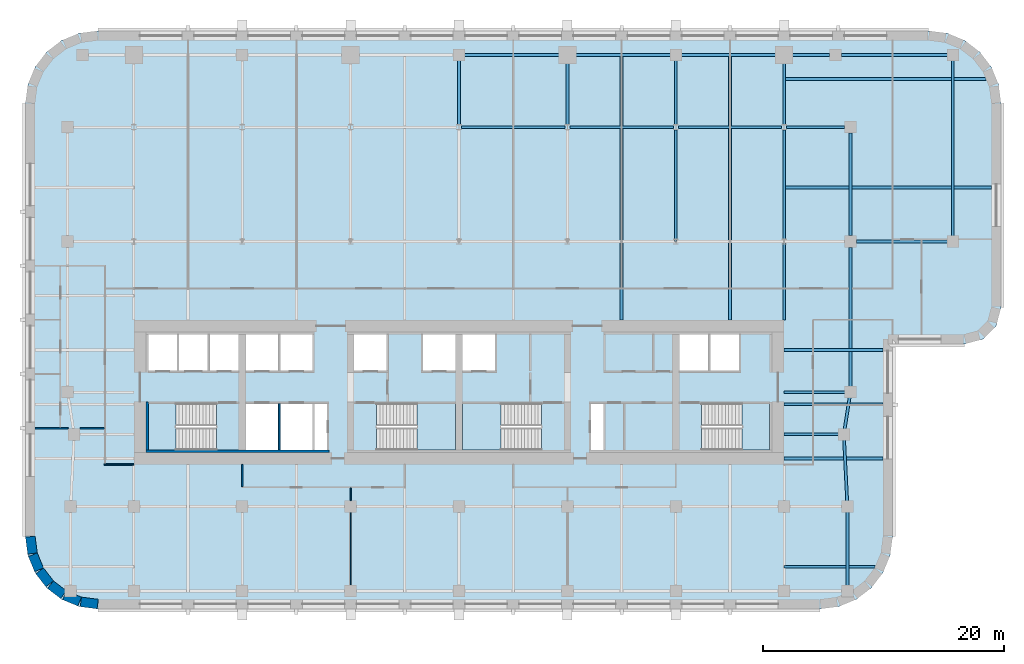
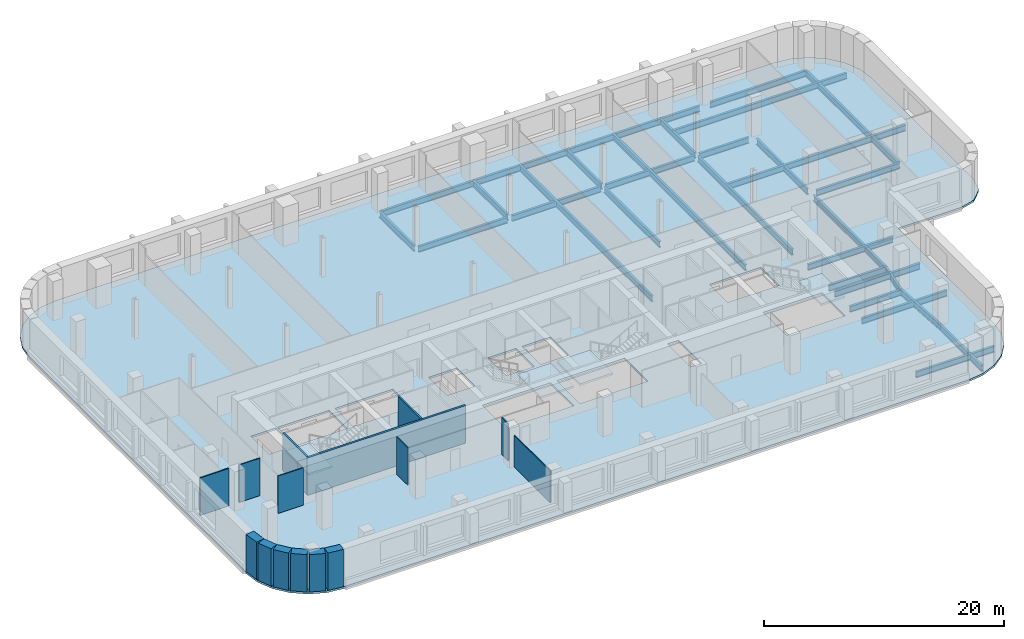
# One storey, part 2 of 9: 30 beams, 15 walls, 5 slabs, 4 elements without a shape of their own.
"""IFC4 building model written with IfcOpenShell, lengths in metres."""

from ifc_helpers import new_model, si_unit, direction, frame, frame_2d, origin, origin_2d, place, context, subcontext, project, spatial, polyline, rectangle, i_section, outline, extrude, material, layer, layer_set, material_profile, profile_set, type_object, element, aggregate, save


model = new_model("IFC4")

# Units and contexts
model_context = context("Model", 3, precision=1e-05, world=origin(), true_north=direction((0.0, 1.0)))
body_context = subcontext(model_context, "Body", "Model", "MODEL_VIEW")
ifc_project = project(units=[si_unit("LENGTHUNIT", "METRE"), si_unit("AREAUNIT", "SQUARE_METRE"), si_unit("VOLUMEUNIT", "CUBIC_METRE"), si_unit("PLANEANGLEUNIT", "RADIAN"), si_unit("MASSUNIT", "GRAM", prefix="KILO")], contexts=[model_context])

# Site, building, storey
site_placement = place(None, origin())
site = spatial("IfcSite", under=ifc_project, at=site_placement, CompositionType="ELEMENT")
building_placement = place(site_placement, origin())
building = spatial("IfcBuilding", under=site, at=building_placement, Name="Zellij Exchange Tower", CompositionType="ELEMENT")
storey_placement = place(building_placement, frame((0.0, 0.0, 136.5)))
storey = spatial("IfcBuildingStorey", under=building, at=storey_placement, Name="L30", CompositionType="ELEMENT", Elevation=136.5)

# Beams
ifc_material_1 = material(Name="Structural steel ASTM A992 Gr 50", Category="steel")
ifc_material_profile_1 = material_profile(ifc_material_1, i_section(OverallWidth=0.227783203125, OverallDepth=0.60205078125, WebThickness=0.010498046875, FlangeThickness=0.014892578125, at=origin_2d()), Name="W24x68")
ifc_profile_set_1 = profile_set([ifc_material_profile_1], Name="Structural steel ASTM A992 Gr 50")
beam_type_1 = type_object("IfcBeamType", Name="STR-BEAM W24x68", PredefinedType="BEAM", material=ifc_profile_set_1)
for number, where, z_axis, x_axis, name in (
    (1, (13.5, -2.0, -0.5009765625), (0.0, 1.0, 0.0), (-1.0, 0.0, 0.0), "B5"),
    (2, (22.5, -2.0, -0.5009765625), (0.0, 1.0, 0.0), (-1.0, 0.0, 0.0), "B5"),
):
    element("IfcBeam", number, at=place(storey_placement, frame(where, z_axis=z_axis, x_axis=x_axis)), inside=storey, type_object=beam_type_1, Name=name, PredefinedType="BEAM", context=body_context, shape_type="SweptSolid", body=[
        extrude(i_section(OverallWidth=0.227783203125, OverallDepth=0.60205078125, WebThickness=0.010498046875, FlangeThickness=0.014892578125, at=origin_2d()), origin(), (0.0, 0.0, 1.0), 22.114501953125),
    ])
beam_1_placement = place(storey_placement, frame((27.0, -22.5, -0.5009765625), z_axis=(1.0, 0.0, 0.0), x_axis=(0.0, 1.0, 0.0)))
element("IfcBeam", 3, at=beam_1_placement, inside=storey, type_object=beam_type_1, Name="B5", PredefinedType="BEAM", context=body_context, shape_type="SweptSolid", body=[
    extrude(i_section(OverallWidth=0.227783203125, OverallDepth=0.60205078125, WebThickness=0.010498046875, FlangeThickness=0.014892578125, at=origin_2d()), origin(), (0.0, 0.0, 1.0), 7.537109375),
])
for number, where, z_axis, x_axis, name in (
    (4, (27.0, -13.5, -0.5009765625), (1.0, 0.0, 0.0), (0.0, 1.0, 0.0), "B5"),
    (5, (27.0, -9.0, -0.5009765625), (1.0, 0.0, 0.0), (0.0, 1.0, 0.0), "B5"),
    (6, (27.0, -4.5, -0.5009765625), (1.0, 0.0, 0.0), (0.0, 1.0, 0.0), "B5"),
):
    element("IfcBeam", number, at=place(storey_placement, frame(where, z_axis=z_axis, x_axis=x_axis)), inside=storey, type_object=beam_type_1, Name=name, PredefinedType="BEAM", context=body_context, shape_type="SweptSolid", body=[
        extrude(i_section(OverallWidth=0.227783203125, OverallDepth=0.60205078125, WebThickness=0.010498046875, FlangeThickness=0.014892578125, at=origin_2d()), origin(), (0.0, 0.0, 1.0), 8.199951171875),
    ])
beam_2_placement = place(storey_placement, frame((27.0, 9.0, -0.5009765625), z_axis=(1.0, 0.0, 0.0), x_axis=(0.0, 1.0, 0.0)))
element("IfcBeam", 7, at=beam_2_placement, inside=storey, type_object=beam_type_1, Name="B5", PredefinedType="BEAM", context=body_context, shape_type="SweptSolid", body=[
    extrude(i_section(OverallWidth=0.227783203125, OverallDepth=0.60205078125, WebThickness=0.010498046875, FlangeThickness=0.014892578125, at=origin_2d()), origin(), (0.0, 0.0, 1.0), 17.199951171875),
])
beam_3_placement = place(storey_placement, frame((27.0, 18.0, -0.5009765625), z_axis=(1.0, 0.0, 0.0), x_axis=(0.0, 1.0, 0.0)))
element("IfcBeam", 8, at=beam_3_placement, inside=storey, type_object=beam_type_1, Name="B5", PredefinedType="BEAM", context=body_context, shape_type="SweptSolid", body=[
    extrude(i_section(OverallWidth=0.227783203125, OverallDepth=0.60205078125, WebThickness=0.010498046875, FlangeThickness=0.014892578125, at=origin_2d()), origin(), (0.0, 0.0, 1.0), 16.743896484375),
])
ifc_material_profile_2 = material_profile(ifc_material_1, i_section(OverallWidth=0.22900390625, OverallDepth=0.612060546875, WebThickness=0.011962890625, FlangeThickness=0.01953125, at=origin_2d()), Name="W24x84")
ifc_profile_set_2 = profile_set([ifc_material_profile_2], Name="Structural steel ASTM A992 Gr 50")
beam_type_2 = type_object("IfcBeamType", Name="STR-EDGE GIRDER W24x84", PredefinedType="BEAM", material=ifc_profile_set_2)
beam_4_placement = place(storey_placement, frame((32.25, -24.5, -0.506103515625), z_axis=(0.0, 1.0, 0.0), x_axis=(-1.0, 0.0, 0.0)))
element("IfcBeam", 9, at=beam_4_placement, inside=storey, type_object=beam_type_2, Name="EB6", PredefinedType="BEAM", context=body_context, shape_type="SweptSolid", body=[
    extrude(i_section(OverallWidth=0.22900390625, OverallDepth=0.612060546875, WebThickness=0.011962890625, FlangeThickness=0.01953125, at=origin_2d()), origin(), (0.0, 0.0, 1.0), 7.0),
])
beam_5_placement = place(storey_placement, frame((32.25, -17.5, -0.506103515625), z_axis=(-0.049945724537, 0.998751933465, 0.0), x_axis=(-0.998751933465, -0.049945724537, 0.0)))
element("IfcBeam", 10, at=beam_5_placement, inside=storey, type_object=beam_type_2, Name="EB6", PredefinedType="BEAM", context=body_context, shape_type="SweptSolid", body=[
    extrude(i_section(OverallWidth=0.22900390625, OverallDepth=0.612060546875, WebThickness=0.011962890625, FlangeThickness=0.01953125, at=origin_2d()), origin(), (0.0, 0.0, 1.0), 6.007568359375),
])
beam_6_placement = place(storey_placement, frame((31.949951171875, -11.5, -0.506103515625), z_axis=(0.155251283593, 0.987875011802, 0.0), x_axis=(-0.987875011802, 0.155251283593, 0.0)))
element("IfcBeam", 11, at=beam_6_placement, inside=storey, type_object=beam_type_2, Name="EB6", PredefinedType="BEAM", context=body_context, shape_type="SweptSolid", body=[
    extrude(i_section(OverallWidth=0.22900390625, OverallDepth=0.612060546875, WebThickness=0.011962890625, FlangeThickness=0.01953125, at=origin_2d()), origin(), (0.0, 0.0, 1.0), 3.54296875),
])
beam_7_placement = place(storey_placement, frame((32.5, -8.0, -0.506103515625), z_axis=(0.0, 1.0, 0.0), x_axis=(-1.0, 0.0, 0.0)))
element("IfcBeam", 12, at=beam_7_placement, inside=storey, type_object=beam_type_2, Name="EB6", PredefinedType="BEAM", context=body_context, shape_type="SweptSolid", body=[
    extrude(i_section(OverallWidth=0.22900390625, OverallDepth=0.612060546875, WebThickness=0.011962890625, FlangeThickness=0.01953125, at=origin_2d()), origin(), (0.0, 0.0, 1.0), 12.0),
])
beam_8_placement = place(storey_placement, frame((32.5, 5.0, -0.506103515625), z_axis=(0.0, 1.0, 0.0), x_axis=(-1.0, 0.0, 0.0)))
element("IfcBeam", 13, at=beam_8_placement, inside=storey, type_object=beam_type_2, Name="EB6", PredefinedType="BEAM", context=body_context, shape_type="SweptSolid", body=[
    extrude(i_section(OverallWidth=0.22900390625, OverallDepth=0.612060546875, WebThickness=0.011962890625, FlangeThickness=0.01953125, at=origin_2d()), origin(), (0.0, 0.0, 1.0), 8.5),
])
beam_9_placement = place(storey_placement, frame((41.0, 4.5, -0.506103515625), z_axis=(0.0, 1.0, 0.0), x_axis=(-1.0, 0.0, 0.0)))
element("IfcBeam", 14, at=beam_9_placement, inside=storey, type_object=beam_type_2, Name="EB6", PredefinedType="BEAM", context=body_context, shape_type="SweptSolid", body=[
    extrude(i_section(OverallWidth=0.22900390625, OverallDepth=0.612060546875, WebThickness=0.011962890625, FlangeThickness=0.01953125, at=origin_2d()), origin(), (0.0, 0.0, 1.0), 15.5),
])
ifc_material_profile_3 = material_profile(ifc_material_1, i_section(OverallWidth=0.22900390625, OverallDepth=0.612060546875, WebThickness=0.011962890625, FlangeThickness=0.01953125, at=origin_2d()), Name="W24x84")
ifc_profile_set_3 = profile_set([ifc_material_profile_3], Name="Structural steel ASTM A992 Gr 50")
beam_type_3 = type_object("IfcBeamType", Name="STR-GIRDER W24x84", PredefinedType="BEAM", material=ifc_profile_set_3)
beam_10_placement = place(storey_placement, frame((27.0, -11.5, -0.506103515625), z_axis=(1.0, 0.0, 0.0), x_axis=(0.0, 1.0, 0.0)))
element("IfcBeam", 15, at=beam_10_placement, inside=storey, type_object=beam_type_3, Name="G4", PredefinedType="BEAM", context=body_context, shape_type="SweptSolid", body=[
    extrude(i_section(OverallWidth=0.22900390625, OverallDepth=0.612060546875, WebThickness=0.011962890625, FlangeThickness=0.01953125, at=origin_2d()), origin(), (0.0, 0.0, 1.0), 4.949951171875),
])
beam_11_placement = place(storey_placement, frame((27.0, -8.0, -0.506103515625), z_axis=(1.0, 0.0, 0.0), x_axis=(0.0, 1.0, 0.0)))
element("IfcBeam", 16, at=beam_11_placement, inside=storey, type_object=beam_type_3, Name="G4", PredefinedType="BEAM", context=body_context, shape_type="SweptSolid", body=[
    extrude(i_section(OverallWidth=0.22900390625, OverallDepth=0.612060546875, WebThickness=0.011962890625, FlangeThickness=0.01953125, at=origin_2d()), origin(), (0.0, 0.0, 1.0), 5.5),
])
beam_12_placement = place(storey_placement, frame((33.0, 4.5, -0.506103515625), z_axis=(1.0, 0.0, 0.0), x_axis=(0.0, 1.0, 0.0)))
element("IfcBeam", 17, at=beam_12_placement, inside=storey, type_object=beam_type_3, Name="G4", PredefinedType="BEAM", context=body_context, shape_type="SweptSolid", body=[
    extrude(i_section(OverallWidth=0.22900390625, OverallDepth=0.612060546875, WebThickness=0.011962890625, FlangeThickness=0.01953125, at=origin_2d()), origin(), (0.0, 0.0, 1.0), 8.0),
])
beam_13_placement = place(storey_placement, frame((0.20947265625, 14.0, -0.506103515625), z_axis=(1.0, 0.0, 0.0), x_axis=(0.0, 1.0, 0.0)))
element("IfcBeam", 18, at=beam_13_placement, inside=storey, type_object=beam_type_3, Name="G4", PredefinedType="BEAM", context=body_context, shape_type="SweptSolid", body=[
    extrude(i_section(OverallWidth=0.22900390625, OverallDepth=0.612060546875, WebThickness=0.011962890625, FlangeThickness=0.01953125, at=origin_2d()), origin(), (0.0, 0.0, 1.0), 8.580810546875),
])
for number, where, z_axis, x_axis, name in (
    (19, (9.209716796875, 14.0, -0.506103515625), (1.0, 0.0, 0.0), (0.0, 1.0, 0.0), "G4"),
    (20, (18.209716796875, 14.0, -0.506103515625), (1.0, 0.0, 0.0), (0.0, 1.0, 0.0), "G4"),
):
    element("IfcBeam", number, at=place(storey_placement, frame(where, z_axis=z_axis, x_axis=x_axis)), inside=storey, type_object=beam_type_3, Name=name, PredefinedType="BEAM", context=body_context, shape_type="SweptSolid", body=[
        extrude(i_section(OverallWidth=0.22900390625, OverallDepth=0.612060546875, WebThickness=0.011962890625, FlangeThickness=0.01953125, at=origin_2d()), origin(), (0.0, 0.0, 1.0), 8.58056640625),
    ])
beam_14_placement = place(storey_placement, frame((27.209716796875, 14.0, -0.506103515625), z_axis=(1.0, 0.0, 0.0), x_axis=(0.0, 1.0, 0.0)))
element("IfcBeam", 21, at=beam_14_placement, inside=storey, type_object=beam_type_3, Name="G4", PredefinedType="BEAM", context=body_context, shape_type="SweptSolid", body=[
    extrude(i_section(OverallWidth=0.22900390625, OverallDepth=0.612060546875, WebThickness=0.011962890625, FlangeThickness=0.01953125, at=origin_2d()), origin(), (0.0, 0.0, 1.0), 4.790283203125),
])
beam_15_placement = place(storey_placement, frame((0.0, 20.0, -0.506103515625), z_axis=(1.0, 0.0, 0.0), x_axis=(0.0, 1.0, 0.0)))
element("IfcBeam", 22, at=beam_15_placement, inside=storey, type_object=beam_type_3, Name="G4", PredefinedType="BEAM", context=body_context, shape_type="SweptSolid", body=[
    extrude(i_section(OverallWidth=0.22900390625, OverallDepth=0.612060546875, WebThickness=0.011962890625, FlangeThickness=0.01953125, at=origin_2d()), origin(), (0.0, 0.0, 1.0), 18.0),
])
beam_16_placement = place(storey_placement, frame((18.0, 20.0, -0.506103515625), z_axis=(1.0, 0.0, 0.0), x_axis=(0.0, 1.0, 0.0)))
element("IfcBeam", 23, at=beam_16_placement, inside=storey, type_object=beam_type_3, Name="G4", PredefinedType="BEAM", context=body_context, shape_type="SweptSolid", body=[
    extrude(i_section(OverallWidth=0.22900390625, OverallDepth=0.612060546875, WebThickness=0.011962890625, FlangeThickness=0.01953125, at=origin_2d()), origin(), (0.0, 0.0, 1.0), 12.75),
])
beam_17_placement = place(storey_placement, frame((31.75, 20.0, -0.506103515625), z_axis=(1.0, 0.0, 0.0), x_axis=(0.0, 1.0, 0.0)))
element("IfcBeam", 24, at=beam_17_placement, inside=storey, type_object=beam_type_3, Name="G4", PredefinedType="BEAM", context=body_context, shape_type="SweptSolid", body=[
    extrude(i_section(OverallWidth=0.22900390625, OverallDepth=0.612060546875, WebThickness=0.011962890625, FlangeThickness=0.01953125, at=origin_2d()), origin(), (0.0, 0.0, 1.0), 9.25),
])
for number, where, z_axis, x_axis, name in (
    (25, (0.0, 14.227294921875, -0.506103515625), (0.0, 1.0, 0.0), (-1.0, 0.0, 0.0), "G4"),
    (26, (9.0, 14.227294921875, -0.506103515625), (0.0, 1.0, 0.0), (-1.0, 0.0, 0.0), "G4"),
):
    element("IfcBeam", number, at=place(storey_placement, frame(where, z_axis=z_axis, x_axis=x_axis)), inside=storey, type_object=beam_type_3, Name=name, PredefinedType="BEAM", context=body_context, shape_type="SweptSolid", body=[
        extrude(i_section(OverallWidth=0.22900390625, OverallDepth=0.612060546875, WebThickness=0.011962890625, FlangeThickness=0.01953125, at=origin_2d()), origin(), (0.0, 0.0, 1.0), 5.772705078125),
    ])
beam_18_placement = place(storey_placement, frame((18.0, 4.5, -0.506103515625), z_axis=(0.0, 1.0, 0.0), x_axis=(-1.0, 0.0, 0.0)))
element("IfcBeam", 27, at=beam_18_placement, inside=storey, type_object=beam_type_3, Name="G4", PredefinedType="BEAM", context=body_context, shape_type="SweptSolid", body=[
    extrude(i_section(OverallWidth=0.22900390625, OverallDepth=0.612060546875, WebThickness=0.011962890625, FlangeThickness=0.01953125, at=origin_2d()), origin(), (0.0, 0.0, 1.0), 9.272705078125),
])
beam_19_placement = place(storey_placement, frame((18.0, 14.227294921875, -0.506103515625), z_axis=(0.0, 1.0, 0.0), x_axis=(-1.0, 0.0, 0.0)))
element("IfcBeam", 28, at=beam_19_placement, inside=storey, type_object=beam_type_3, Name="G4", PredefinedType="BEAM", context=body_context, shape_type="SweptSolid", body=[
    extrude(i_section(OverallWidth=0.22900390625, OverallDepth=0.612060546875, WebThickness=0.011962890625, FlangeThickness=0.01953125, at=origin_2d()), origin(), (0.0, 0.0, 1.0), 5.772705078125),
])
beam_20_placement = place(storey_placement, frame((27.0, -2.0, -0.506103515625), z_axis=(0.0, 1.0, 0.0), x_axis=(-1.0, 0.0, 0.0)))
element("IfcBeam", 29, at=beam_20_placement, inside=storey, type_object=beam_type_3, Name="G4", PredefinedType="BEAM", context=body_context, shape_type="SweptSolid", body=[
    extrude(i_section(OverallWidth=0.22900390625, OverallDepth=0.612060546875, WebThickness=0.011962890625, FlangeThickness=0.01953125, at=origin_2d()), origin(), (0.0, 0.0, 1.0), 15.772705078125),
])
beam_21_placement = place(storey_placement, frame((27.0, 14.227294921875, -0.506103515625), z_axis=(0.0, 1.0, 0.0), x_axis=(-1.0, 0.0, 0.0)))
element("IfcBeam", 30, at=beam_21_placement, inside=storey, type_object=beam_type_3, Name="G4", PredefinedType="BEAM", context=body_context, shape_type="SweptSolid", body=[
    extrude(i_section(OverallWidth=0.22900390625, OverallDepth=0.612060546875, WebThickness=0.011962890625, FlangeThickness=0.01953125, at=origin_2d()), origin(), (0.0, 0.0, 1.0), 5.772705078125),
])

# Stair, slab
ifc_material_2 = material(Name="Concrete C40/50", Category="concrete")
stair_type = type_object("IfcStairType", Name="CORE-ST exit stair 1850 wide", PredefinedType="HALF_TURN_STAIR", material=ifc_material_2)
stair_1_placement = place(storey_placement, origin())
stair_1 = element("IfcStair", 31, at=stair_1_placement, inside=storey, type_object=stair_type, Name="L30 exit stair ST1", PredefinedType="HALF_TURN_STAIR")
ifc_layer_1 = layer(ifc_material_2, 0.199951171875)
ifc_layer_set_1 = layer_set([ifc_layer_1], Name="Concrete C40/50")
slab_type_1 = type_object("IfcSlabType", Name="CORE-SL stair landing 200", PredefinedType="LANDING", material=ifc_layer_set_1)
slab_1_placement = place(storey_placement, frame((0.0, 0.0, 1.800048828125)))
slab_1 = element("IfcSlab", 32, at=slab_1_placement, type_object=slab_type_1, Name="ST1 landing 1", PredefinedType="LANDING", context=body_context, shape_type="SweptSolid", body=[
    extrude(outline(polyline([(-23.510009765625, -8.949951171875), (-25.800048828125, -8.949951171875), (-25.800048828125, -12.800048828125), (-23.510009765625, -12.800048828125), (-23.510009765625, -8.949951171875)])), origin(), (0.0, 0.0, 1.0), 0.199951171875),
])
aggregate(stair_1, [slab_1])

stair_2_placement = place(storey_placement, origin())
stair_2 = element("IfcStair", 33, at=stair_2_placement, inside=storey, type_object=stair_type, Name="L30 exit stair ST2", PredefinedType="HALF_TURN_STAIR")
slab_2_placement = place(storey_placement, frame((0.0, 0.0, 1.800048828125)))
slab_2 = element("IfcSlab", 34, at=slab_2_placement, type_object=slab_type_1, Name="ST2 landing 1", PredefinedType="LANDING", context=body_context, shape_type="SweptSolid", body=[
    extrude(outline(polyline([(-3.489990234375, -12.800048828125), (-0.300048828125, -12.800048828125), (-0.300048828125, -8.949951171875), (-3.489990234375, -8.949951171875), (-3.489990234375, -12.800048828125)])), origin(), (0.0, 0.0, 1.0), 0.199951171875),
])
aggregate(stair_2, [slab_2])

stair_3_placement = place(storey_placement, origin())
stair_3 = element("IfcStair", 35, at=stair_3_placement, inside=storey, type_object=stair_type, Name="L30 exit stair ST3", PredefinedType="HALF_TURN_STAIR")
slab_3_placement = place(storey_placement, frame((0.0, 0.0, 1.800048828125)))
slab_3 = element("IfcSlab", 36, at=slab_3_placement, type_object=slab_type_1, Name="ST3 landing 1", PredefinedType="LANDING", context=body_context, shape_type="SweptSolid", body=[
    extrude(outline(polyline([(3.489990234375, -8.949951171875), (0.300048828125, -8.949951171875), (0.300048828125, -12.800048828125), (3.489990234375, -12.800048828125), (3.489990234375, -8.949951171875)])), origin(), (0.0, 0.0, 1.0), 0.199951171875),
])
aggregate(stair_3, [slab_3])

stair_4_placement = place(storey_placement, origin())
stair_4 = element("IfcStair", 37, at=stair_4_placement, inside=storey, type_object=stair_type, Name="L30 exit stair ST4", PredefinedType="HALF_TURN_STAIR")
slab_4_placement = place(storey_placement, frame((0.0, 0.0, 1.800048828125)))
slab_4 = element("IfcSlab", 38, at=slab_4_placement, type_object=slab_type_1, Name="ST4 landing 1", PredefinedType="LANDING", context=body_context, shape_type="SweptSolid", body=[
    extrude(outline(polyline([(23.510009765625, -12.800048828125), (25.800048828125, -12.800048828125), (25.800048828125, -8.949951171875), (23.510009765625, -8.949951171875), (23.510009765625, -12.800048828125)])), origin(), (0.0, 0.0, 1.0), 0.199951171875),
])
aggregate(stair_4, [slab_4])

# Slab
ifc_layer_2 = layer(ifc_material_2, 0.199951171875)
ifc_layer_set_2 = layer_set([ifc_layer_2], Name="Concrete C40/50")
slab_type_2 = type_object("IfcSlabType", Name="STR-FLOOR SLAB 200 C40/50", PredefinedType="FLOOR", material=ifc_layer_set_2)
slab_5_placement = place(storey_placement, frame((0.0, 0.0, -0.2001953125)))
element("IfcSlab", 39, at=slab_5_placement, inside=storey, type_object=slab_type_2, Name="Floor L30", PredefinedType="FLOOR", context=body_context, shape_type="SweptSolid", body=[
    extrude(outline(polyline([(35.795654296875, -21.552978515625), (35.1962890625, -23.0), (34.24267578125, -24.24267578125), (33.0, -25.1962890625), (31.552978515625, -25.795654296875), (30.0, -26.0), (-30.0, -26.0), (-31.552978515625, -25.795654296875), (-33.0, -25.1962890625), (-34.24267578125, -24.24267578125), (-35.1962890625, -23.0), (-35.795654296875, -21.552978515625), (-36.0, -20.0), (-36.0, 16.0), (-35.795654296875, 17.552978515625), (-35.1962890625, 19.0), (-34.24267578125, 20.24267578125), (-33.0, 21.1962890625), (-31.552978515625, 21.795654296875), (-30.0, 22.0), (39.0, 22.0), (40.552978515625, 21.795654296875), (42.0, 21.1962890625), (43.24267578125, 20.24267578125), (44.1962890625, 19.0), (44.795654296875, 17.552978515625), (45.0, 16.0), (45.0, -1.0), (44.59814453125, -2.5), (43.5, -3.59814453125), (42.0, -4.0), (36.0, -4.0), (36.0, -20.0), (35.795654296875, -21.552978515625)]), holes=[polyline([(-25.800048828125, -8.949951171875), (-25.800048828125, -12.800048828125), (-20.153076171875, -12.800048828125), (-20.153076171875, -8.949951171875), (-25.800048828125, -8.949951171875)]), polyline([(-12.14990234375, -8.949951171875), (-17.699951171875, -8.949951171875), (-17.699951171875, -12.800048828125), (-12.14990234375, -12.800048828125), (-12.14990234375, -8.949951171875)]), polyline([(-10.949951171875, -8.949951171875), (-12.0, -8.949951171875), (-12.0, -12.800048828125), (-10.949951171875, -12.800048828125), (-10.949951171875, -8.949951171875)]), polyline([(-23.39990234375, -3.199951171875), (-25.800048828125, -3.199951171875), (-25.800048828125, -6.22509765625), (-23.39990234375, -6.22509765625), (-23.39990234375, -3.199951171875)]), polyline([(-18.300048828125, -3.199951171875), (-23.25, -3.199951171875), (-23.25, -6.22509765625), (-18.300048828125, -6.22509765625), (-18.300048828125, -3.199951171875)]), polyline([(-12.14990234375, -3.199951171875), (-17.699951171875, -3.199951171875), (-17.699951171875, -6.22509765625), (-12.14990234375, -6.22509765625), (-12.14990234375, -3.199951171875)]), polyline([(-6.0, -3.199951171875), (-8.699951171875, -3.199951171875), (-8.699951171875, -6.22509765625), (-6.0, -6.22509765625), (-6.0, -3.199951171875)]), polyline([(-6.846923828125, -8.949951171875), (-6.846923828125, -12.800048828125), (-0.300048828125, -12.800048828125), (-0.300048828125, -8.949951171875), (-6.846923828125, -8.949951171875)]), polyline([(6.846923828125, -8.949951171875), (0.300048828125, -8.949951171875), (0.300048828125, -12.800048828125), (6.846923828125, -12.800048828125), (6.846923828125, -8.949951171875)]), polyline([(12.0, -8.949951171875), (10.949951171875, -8.949951171875), (10.949951171875, -12.800048828125), (12.0, -12.800048828125), (12.0, -8.949951171875)]), polyline([(25.800048828125, -8.949951171875), (20.153076171875, -8.949951171875), (20.153076171875, -12.800048828125), (25.800048828125, -12.800048828125), (25.800048828125, -8.949951171875)]), polyline([(-0.300048828125, -3.199951171875), (-3.0, -3.199951171875), (-3.0, -6.22509765625), (-0.300048828125, -6.22509765625), (-0.300048828125, -3.199951171875)]), polyline([(3.0, -3.199951171875), (0.300048828125, -3.199951171875), (0.300048828125, -6.22509765625), (3.0, -6.22509765625), (3.0, -3.199951171875)]), polyline([(23.25, -3.199951171875), (18.300048828125, -3.199951171875), (18.300048828125, -6.22509765625), (23.25, -6.22509765625), (23.25, -3.199951171875)])]), origin(), (0.0, 0.0, 1.0), 0.2001953125),
])

# Walls
ifc_material_3 = material(Name="Concrete C30/37", Category="concrete")
ifc_layer_3 = layer(ifc_material_3, 0.199951171875)
ifc_layer_set_3 = layer_set([ifc_layer_3], Name="Concrete C30/37")
wall_type_1 = type_object("IfcWallType", Name="CORE-LW 200 C30/37", PredefinedType="SHEAR", material=ifc_layer_set_3)
wall_1_placement = place(storey_placement, frame((-26.0, -12.89990234375, 0.0), z_axis=(0.0, 0.0, 1.0), x_axis=(1.0, 0.0, 0.0)))
element("IfcWall", 40, at=wall_1_placement, inside=storey, type_object=wall_type_1, Name="Core wall lining rear.0 L30", PredefinedType="SHEAR", context=body_context, shape_type="SweptSolid", body=[
    extrude(rectangle(XDim=15.199951171875, YDim=0.199951171875, at=frame_2d((7.60009765625, 0.0))), origin(), (0.0, 0.0, 1.0), 3.800048828125),
])
wall_2_placement = place(storey_placement, frame((-25.89990234375, -12.800048828125, 0.0), z_axis=(0.0, 0.0, 1.0), x_axis=(0.0, 1.0, 0.0)))
element("IfcWall", 41, at=wall_2_placement, inside=storey, type_object=wall_type_1, Name="Core wall lining end w.0 L30", PredefinedType="SHEAR", context=body_context, shape_type="SweptSolid", body=[
    extrude(rectangle(XDim=4.0, YDim=0.199951171875, at=frame_2d((2.0, 0.0))), origin(), (0.0, 0.0, 1.0), 3.800048828125),
])
ifc_material_4 = material(Name="Gypsum shaft wall system")
ifc_layer_4 = layer(ifc_material_4, 0.14990234375)
ifc_layer_set_4 = layer_set([ifc_layer_4], Name="Gypsum shaft wall system")
wall_type_2 = type_object("IfcWallType", Name="CORE-PW 150 Lift shaft wall", PredefinedType="PARTITIONING", material=ifc_layer_set_4)
wall_3_placement = place(storey_placement, frame((-14.925048828125, -12.800048828125, 0.0), z_axis=(0.0, 0.0, 1.0), x_axis=(0.0, 1.0, 0.0)))
element("IfcWall", 42, at=wall_3_placement, inside=storey, type_object=wall_type_2, Name="Lift shaft wall L30", PredefinedType="PARTITIONING", context=body_context, shape_type="SweptSolid", body=[
    extrude(rectangle(XDim=3.85009765625, YDim=0.14990234375, at=frame_2d((1.925048828125, 0.0))), origin(), (0.0, 0.0, 1.0), 3.800048828125),
])
ifc_material_5 = material(Name="Precast concrete C40/50", Category="concrete")
ifc_layer_5 = layer(ifc_material_5, 0.800048828125)
ifc_layer_set_5 = layer_set([ifc_layer_5], Name="Precast concrete C40/50")
wall_type_3 = type_object("IfcWallType", Name="ENV-EW1 Precast stone-piered wall 800", PredefinedType="SOLIDWALL", material=ifc_layer_set_5)
wall_4_placement = place(storey_placement, frame((-35.5966796875, -19.999755859375, 0.0), z_axis=(0.0, 0.0, 1.0), x_axis=(0.130517283865, -0.99144603414, 0.0)))
element("IfcWall", 43, at=wall_4_placement, inside=storey, type_object=wall_type_3, Name="fac.L30.27", PredefinedType="SOLIDWALL", context=body_context, shape_type="SweptSolid", body=[
    extrude(rectangle(XDim=1.408447265625, YDim=0.800048828125, at=frame_2d((0.7041015625, 0.0))), origin(), (0.0, 0.0, 1.0), 3.800048828125),
])
wall_5_placement = place(storey_placement, frame((-35.3857421875, -21.497314453125, 0.0), z_axis=(0.0, 0.0, 1.0), x_axis=(0.38276009378, -0.923847774587, 0.0)))
element("IfcWall", 44, at=wall_5_placement, inside=storey, type_object=wall_type_3, Name="fac.L30.28", PredefinedType="SOLIDWALL", context=body_context, shape_type="SweptSolid", body=[
    extrude(rectangle(XDim=1.35546875, YDim=0.800048828125, at=frame_2d((0.677734375, 0.0))), origin(), (0.0, 0.0, 1.0), 3.800048828125),
])
for number, where, z_axis, x_axis, name in (
    (45, (-34.814697265625, -22.840087890625, 0.0), (0.0, 0.0, 1.0), (0.608866226366, -0.793272915452, 0.0), "fac.L30.29"),
    (46, (-33.91552734375, -23.9892578125, 0.0), (0.0, 0.0, 1.0), (0.793272915452, -0.608866226366, 0.0), "fac.L30.30"),
):
    element("IfcWall", number, at=place(storey_placement, frame(where, z_axis=z_axis, x_axis=x_axis)), inside=storey, type_object=wall_type_3, Name=name, PredefinedType="SOLIDWALL", context=body_context, shape_type="SweptSolid", body=[
        extrude(rectangle(XDim=1.355712890625, YDim=0.800048828125, at=frame_2d((0.677734375, 0.0))), origin(), (0.0, 0.0, 1.0), 3.800048828125),
    ])
wall_6_placement = place(storey_placement, frame((-32.74951171875, -24.866943359375, 0.0), z_axis=(0.0, 0.0, 1.0), x_axis=(0.923847774587, -0.38276009378, 0.0)))
element("IfcWall", 47, at=wall_6_placement, inside=storey, type_object=wall_type_3, Name="fac.L30.31", PredefinedType="SOLIDWALL", context=body_context, shape_type="SweptSolid", body=[
    extrude(rectangle(XDim=1.35546875, YDim=0.800048828125, at=frame_2d((0.677734375, 0.0))), origin(), (0.0, 0.0, 1.0), 3.800048828125),
])
wall_7_placement = place(storey_placement, frame((-31.396240234375, -25.412841796875, 0.0), z_axis=(0.0, 0.0, 1.0), x_axis=(0.99144603414, -0.130517283865, 0.0)))
element("IfcWall", 48, at=wall_7_placement, inside=storey, type_object=wall_type_3, Name="fac.L30.32", PredefinedType="SOLIDWALL", context=body_context, shape_type="SweptSolid", body=[
    extrude(rectangle(XDim=1.408447265625, YDim=0.800048828125, at=frame_2d((0.7041015625, 0.0))), origin(), (0.0, 0.0, 1.0), 3.800048828125),
])
ifc_material_6 = material(Name="Gypsum board partition on steel studs", Category="steel")
ifc_layer_6 = layer(ifc_material_6, 0.10009765625)
ifc_layer_set_6 = layer_set([ifc_layer_6], Name="Gypsum board partition on steel studs")
wall_type_4 = type_object("IfcWallType", Name="FIT-PARTITION-100", PredefinedType="PARTITIONING", material=ifc_layer_set_6)
wall_8_placement = place(storey_placement, frame((-9.0, -24.0, 0.0), z_axis=(0.0, 0.0, 1.0), x_axis=(0.0, 1.0, 0.0)))
element("IfcWall", 49, at=wall_8_placement, inside=storey, type_object=wall_type_4, Name="FIT-PARTITION-100 001", PredefinedType="PARTITIONING", context=body_context, shape_type="SweptSolid", body=[
    extrude(rectangle(XDim=6.0, YDim=0.10009765625, at=frame_2d((3.0, 0.0))), origin(), (0.0, 0.0, 1.0), 3.18798828125),
])
wall_9_placement = place(storey_placement, frame((-9.0, -17.0, 0.0), z_axis=(0.0, 0.0, 1.0), x_axis=(0.0, 1.0, 0.0)))
element("IfcWall", 50, at=wall_9_placement, inside=storey, type_object=wall_type_4, Name="FIT-PARTITION-100 002", PredefinedType="PARTITIONING", context=body_context, shape_type="SweptSolid", body=[
    extrude(rectangle(XDim=1.050048828125, YDim=0.10009765625, at=frame_2d((0.52490234375, 0.0))), origin(), (0.0, 0.0, 1.0), 3.800048828125),
])
wall_10_placement = place(storey_placement, frame((-18.0, -15.85009765625, 0.0), z_axis=(0.0, 0.0, 1.0), x_axis=(0.0, 1.0, 0.0)))
element("IfcWall", 51, at=wall_10_placement, inside=storey, type_object=wall_type_4, Name="FIT-PARTITION-100 006", PredefinedType="PARTITIONING", context=body_context, shape_type="SweptSolid", body=[
    extrude(rectangle(XDim=1.85009765625, YDim=0.10009765625, at=frame_2d((0.925048828125, 0.0))), origin(), (0.0, 0.0, 1.0), 3.800048828125),
])
wall_11_placement = place(storey_placement, frame((-29.449951171875, -14.0, 0.0), z_axis=(0.0, 0.0, 1.0), x_axis=(1.0, 0.0, 0.0)))
element("IfcWall", 52, at=wall_11_placement, inside=storey, type_object=wall_type_4, Name="FIT-PARTITION-100 011", PredefinedType="PARTITIONING", context=body_context, shape_type="SweptSolid", body=[
    extrude(rectangle(XDim=2.449951171875, YDim=0.10009765625, at=frame_2d((1.22509765625, 0.0))), origin(), (0.0, 0.0, 1.0), 3.800048828125),
])
wall_12_placement = place(storey_placement, frame((-35.199951171875, -10.989990234375, 0.0), z_axis=(0.0, 0.0, 1.0), x_axis=(1.0, 0.0, 0.0)))
element("IfcWall", 53, at=wall_12_placement, inside=storey, type_object=wall_type_4, Name="FIT-PARTITION-100 015", PredefinedType="PARTITIONING", context=body_context, shape_type="SweptSolid", body=[
    extrude(rectangle(XDim=2.75, YDim=0.10009765625, at=frame_2d((1.375, 0.0))), origin(), (0.0, 0.0, 1.0), 3.800048828125),
])
wall_13_placement = place(storey_placement, frame((-31.449951171875, -10.989990234375, 0.0), z_axis=(0.0, 0.0, 1.0), x_axis=(1.0, 0.0, 0.0)))
element("IfcWall", 54, at=wall_13_placement, inside=storey, type_object=wall_type_4, Name="FIT-PARTITION-100 016", PredefinedType="PARTITIONING", context=body_context, shape_type="SweptSolid", body=[
    extrude(rectangle(XDim=2.0, YDim=0.10009765625, at=frame_2d((1.0, 0.0))), origin(), (0.0, 0.0, 1.0), 3.800048828125),
])

save(model, "model.ifc")
